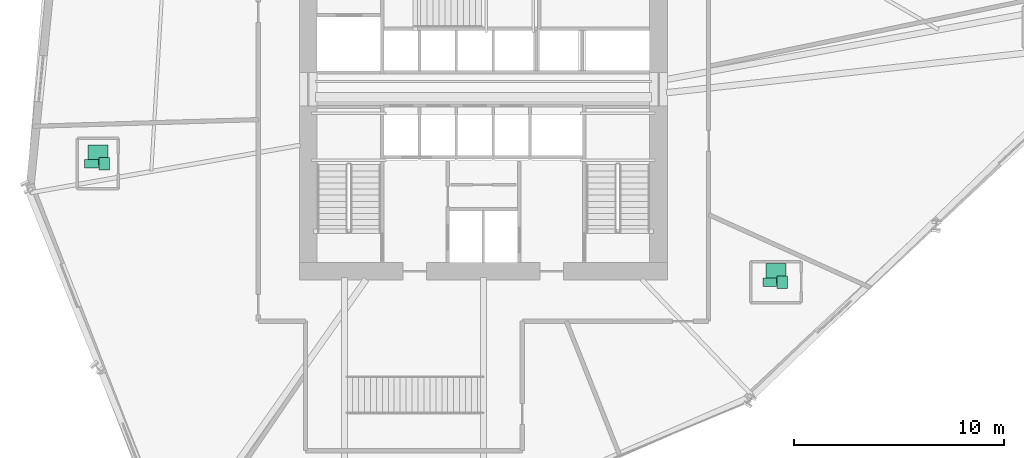
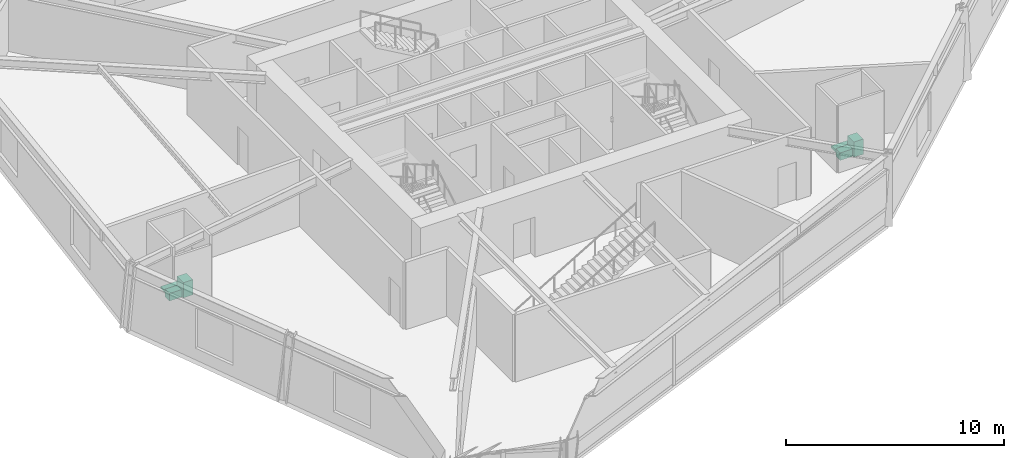
# One storey, part 19 of 19: 6 sanitary terminals.
"""IFC4 building model written with IfcOpenShell, lengths in metres."""

from ifc_helpers import new_model, si_unit, direction, frame, origin, origin_2d, place, context, subcontext, project, spatial, rectangle, extrude, source, transform, mapped, material, type_object, element, save


model = new_model("IFC4")

# Units and contexts
model_context = context("Model", 3, precision=1e-05, world=origin(), true_north=direction((0.0, 1.0)))
body_context = subcontext(model_context, "Body", "Model", "MODEL_VIEW")
ifc_project = project(units=[si_unit("LENGTHUNIT", "METRE"), si_unit("AREAUNIT", "SQUARE_METRE"), si_unit("VOLUMEUNIT", "CUBIC_METRE"), si_unit("PLANEANGLEUNIT", "RADIAN"), si_unit("MASSUNIT", "GRAM", prefix="KILO")], contexts=[model_context])

# Site, building, storey
site_placement = place(None, origin())
site = spatial("IfcSite", under=ifc_project, at=site_placement, CompositionType="ELEMENT")
building_placement = place(site_placement, origin())
building = spatial("IfcBuilding", under=site, at=building_placement, Name="Olszyna Solenne Hotel", CompositionType="ELEMENT")
storey_placement = place(building_placement, frame((0.0, 0.0, 71.89990234375)))
storey = spatial("IfcBuildingStorey", under=building, at=storey_placement, Name="L18", CompositionType="ELEMENT", Elevation=71.89990234375)

# Sanitary terminals
ifc_material = material(Name="Porcelain ceramic")
sanitary_terminal_type_1 = type_object("IfcSanitaryTerminalType", Name="SAN-WC", PredefinedType="TOILETPAN", material=ifc_material)
shared_shape_1 = source(origin(), body_context, "Body", "SweptSolid", [
    extrude(rectangle(XDim=0.64990234375, YDim=0.39990234375, at=origin_2d()), origin(), (0.0, 0.0, 1.0), 0.419921875),
])
for number, where, z_axis, x_axis, name in (
    (1, (19.376953125, 24.193115234375, 0.000244140625), (0.0, 0.0, 1.0), (1.0, 0.0, 0.0), "Wall-hung WC pan WC-0003"),
    (2, (51.60400390625, 18.55908203125, 0.000244140625), (0.0, 0.0, 1.0), (1.0, 0.0, 0.0), "Wall-hung WC pan WC-0004"),
):
    element("IfcSanitaryTerminal", number, at=place(storey_placement, frame(where, z_axis=z_axis, x_axis=x_axis)), inside=storey, type_object=sanitary_terminal_type_1, Name=name, PredefinedType="TOILETPAN", context=body_context, shape_type="MappedRepresentation", body=[
        mapped(shared_shape_1, transform((0.0, 0.0, 0.0), x_axis=(1.0, 0.0, 0.0), y_axis=(0.0, 1.0, 0.0), z_axis=(0.0, 0.0, 1.0), scale=1.0)),
    ])
sanitary_terminal_type_2 = type_object("IfcSanitaryTerminalType", Name="SAN-BS", PredefinedType="WASHHANDBASIN", material=ifc_material)
shared_shape_2 = source(origin(), body_context, "Body", "SweptSolid", [
    extrude(rectangle(XDim=0.5, YDim=0.60009765625, at=origin_2d()), origin(), (0.0, 0.0, 1.0), 0.85009765625),
])
for number, where, z_axis, x_axis, name in (
    (3, (19.97705078125, 24.193115234375, 0.0), (0.0, 0.0, 1.0), (1.0, 0.0, 0.0), "Vanity washbasin BS-0003"),
    (4, (52.2041015625, 18.55908203125, 0.0), (0.0, 0.0, 1.0), (1.0, 0.0, 0.0), "Vanity washbasin BS-0004"),
):
    element("IfcSanitaryTerminal", number, at=place(storey_placement, frame(where, z_axis=z_axis, x_axis=x_axis)), inside=storey, type_object=sanitary_terminal_type_2, Name=name, PredefinedType="WASHHANDBASIN", context=body_context, shape_type="MappedRepresentation", body=[
        mapped(shared_shape_2, transform((0.0, 0.0, 0.0), x_axis=(1.0, 0.0, 0.0), y_axis=(0.0, 1.0, 0.0), z_axis=(0.0, 0.0, 1.0), scale=1.0)),
    ])
sanitary_terminal_type_3 = type_object("IfcSanitaryTerminalType", Name="SAN-SH", PredefinedType="SHOWER", material=ifc_material)
shared_shape_3 = source(origin(), body_context, "Body", "SweptSolid", [
    extrude(rectangle(XDim=0.949951171875, YDim=0.949951171875, at=origin_2d()), origin(), (0.0, 0.0, 1.0), 0.1201171875),
])
for number, where, z_axis, x_axis, name in (
    (5, (19.677001953125, 24.593017578125, 0.0), (0.0, 0.0, 1.0), (1.0, 0.0, 0.0), "Walk-in shower tray SH-0003"),
    (6, (51.904052734375, 18.958984375, 0.0), (0.0, 0.0, 1.0), (1.0, 0.0, 0.0), "Walk-in shower tray SH-0004"),
):
    element("IfcSanitaryTerminal", number, at=place(storey_placement, frame(where, z_axis=z_axis, x_axis=x_axis)), inside=storey, type_object=sanitary_terminal_type_3, Name=name, PredefinedType="SHOWER", context=body_context, shape_type="MappedRepresentation", body=[
        mapped(shared_shape_3, transform((0.0, 0.0, 0.0), x_axis=(1.0, 0.0, 0.0), y_axis=(0.0, 1.0, 0.0), z_axis=(0.0, 0.0, 1.0), scale=1.0)),
    ])

save(model, "model.ifc")
